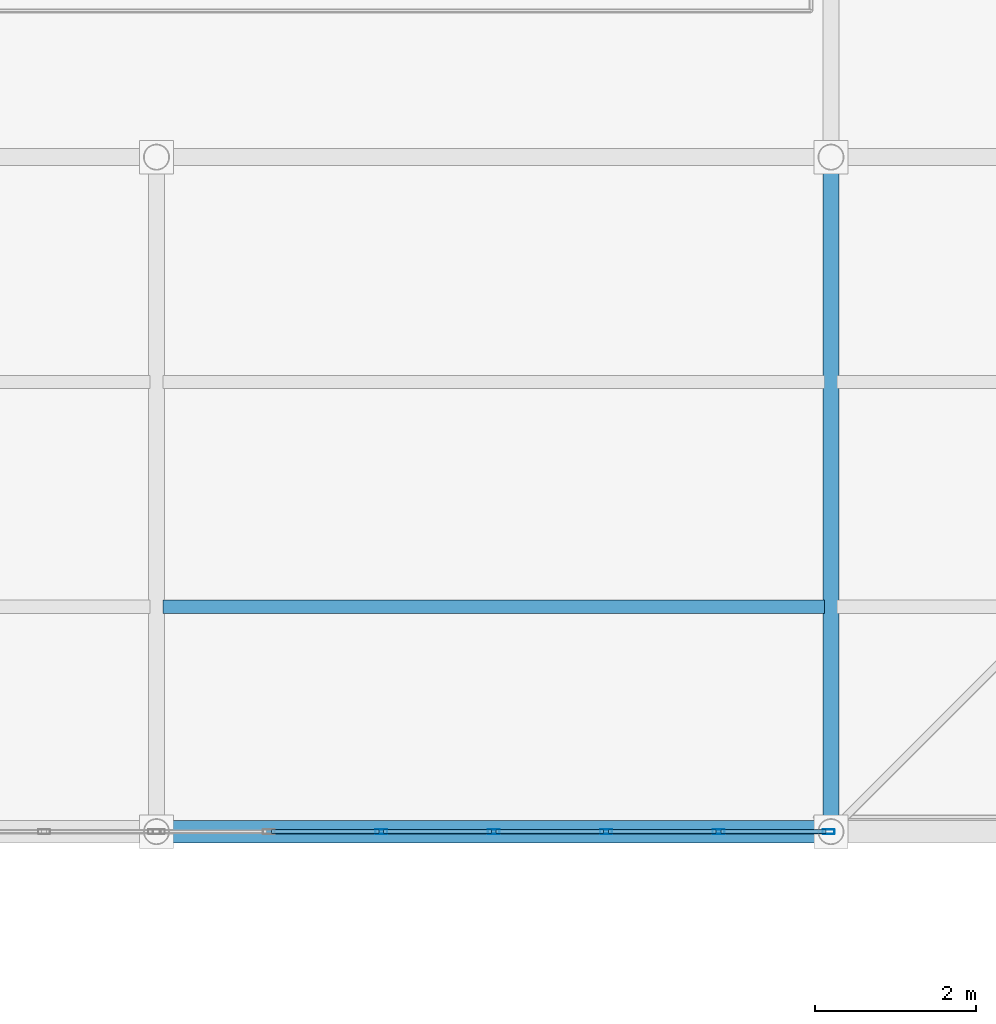
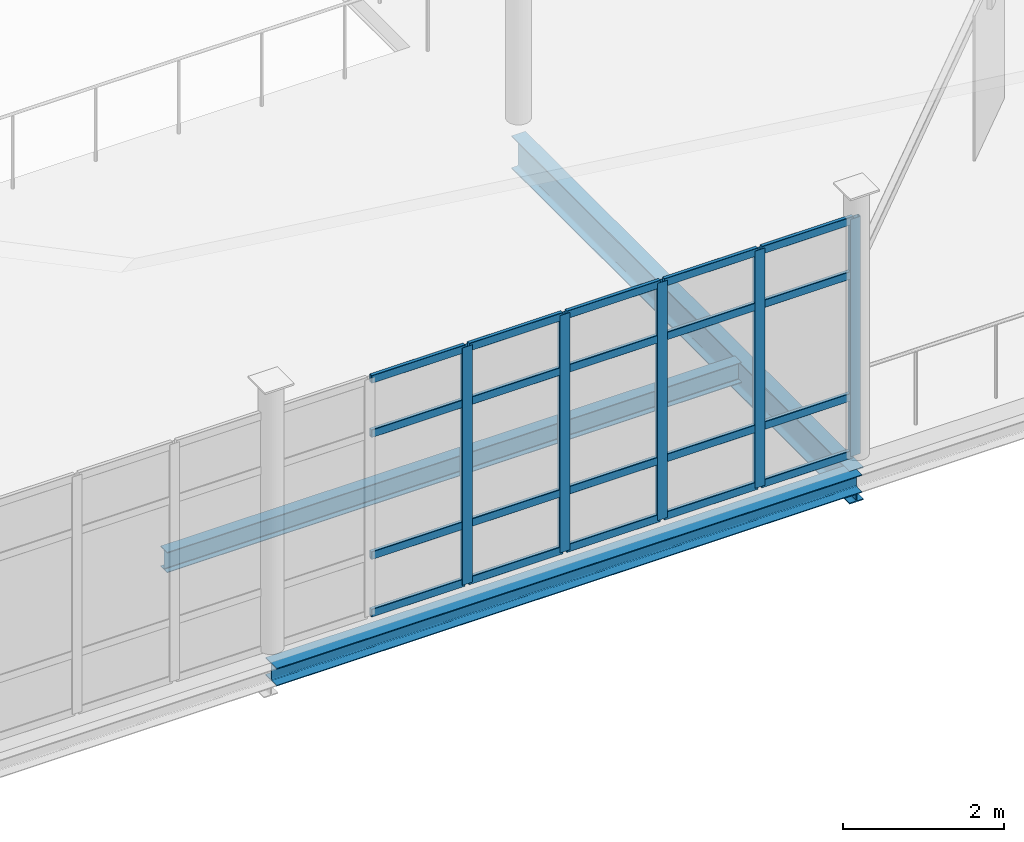
# One storey, part 37 of 65: 25 members, 3 beams, 1 element without a shape of its own.
"""IFC4 building model written with IfcOpenShell, lengths in metres."""

from ifc_helpers import new_model, si_unit, direction, frame, origin, origin_2d, place, context, subcontext, project, spatial, hollow_rectangle, i_section, extrude, material, layer, layer_set, material_profile, profile_set, type_object, element, aggregate, save


model = new_model("IFC4")

# Units and contexts
model_context = context("Model", 3, precision=1e-05, world=origin(), true_north=direction((0.0, 1.0)))
body_context = subcontext(model_context, "Body", "Model", "MODEL_VIEW")
ifc_project = project(units=[si_unit("LENGTHUNIT", "METRE"), si_unit("AREAUNIT", "SQUARE_METRE"), si_unit("VOLUMEUNIT", "CUBIC_METRE"), si_unit("PLANEANGLEUNIT", "RADIAN"), si_unit("MASSUNIT", "GRAM", prefix="KILO")], contexts=[model_context])

# Site, building, storey
site_placement = place(None, origin())
site = spatial("IfcSite", under=ifc_project, at=site_placement, CompositionType="ELEMENT")
building_placement = place(site_placement, origin())
building = spatial("IfcBuilding", under=site, at=building_placement, Name="Qalvenar Corner Mobility Hub", CompositionType="ELEMENT")
storey_placement = place(building_placement, frame((0.0, 0.0, 17.39990234375)))
storey = spatial("IfcBuildingStorey", under=building, at=storey_placement, Name="L04", CompositionType="ELEMENT", Elevation=17.39990234375)

# Beams
ifc_material_1 = material(Name="Steel S355", Category="steel")
ifc_material_profile_1 = material_profile(ifc_material_1, i_section(OverallWidth=0.199951171875, OverallDepth=0.5, WebThickness=0.01025390625, FlangeThickness=0.01611328125, FilletRadius=0.02099609375, at=origin_2d()), Name="IPE500")
ifc_profile_set_1 = profile_set([ifc_material_profile_1], Name="Steel S355")
beam_type_1 = type_object("IfcBeamType", Name="BM-IPE500", PredefinedType="BEAM", material=ifc_profile_set_1)
beam_1_placement = place(storey_placement, frame((159.60009765625, 67.199951171875, -0.489990234375), z_axis=(0.0, 1.0, 0.0), x_axis=(-1.0, 0.0, 0.0)))
element("IfcBeam", 1, at=beam_1_placement, inside=storey, type_object=beam_type_1, Name="Primary Steel Girder GY-2909", PredefinedType="BEAM", context=body_context, shape_type="SweptSolid", body=[
    extrude(i_section(OverallWidth=0.199951171875, OverallDepth=0.5, WebThickness=0.01025390625, FlangeThickness=0.01611328125, FilletRadius=0.02099609375, at=origin_2d()), origin(), (0.0, 0.0, 1.0), 8.400146484375),
])
ifc_material_profile_2 = material_profile(ifc_material_1, i_section(OverallWidth=0.1650390625, OverallDepth=0.31005859375, WebThickness=0.005859375, FlangeThickness=0.009765625, FilletRadius=0.011962890625, at=origin_2d()), Name="W310x38.7")
ifc_profile_set_2 = profile_set([ifc_material_profile_2], Name="Steel S355")
beam_type_2 = type_object("IfcBeamType", Name="BM-JST310", PredefinedType="JOIST", material=ifc_profile_set_2)
beam_2_placement = place(storey_placement, frame((151.278076171875, 70.0, -0.39501953125), z_axis=(1.0, 0.0, 0.0), x_axis=(0.0, 1.0, 0.0)))
element("IfcBeam", 2, at=beam_2_placement, inside=storey, type_object=beam_type_2, Name="Composite Floor Joist J-2929", PredefinedType="JOIST", context=body_context, shape_type="SweptSolid", body=[
    extrude(i_section(OverallWidth=0.1650390625, OverallDepth=0.31005859375, WebThickness=0.005859375, FlangeThickness=0.009765625, FilletRadius=0.011962890625, at=origin_2d()), origin(), (0.0, 0.0, 1.0), 8.243896484375),
])
ifc_material_profile_3 = material_profile(ifc_material_1, i_section(OverallWidth=0.280029296875, OverallDepth=0.27001953125, WebThickness=0.008056640625, FlangeThickness=0.012939453125, FilletRadius=0.02392578125, at=origin_2d()), Name="HEA280")
ifc_profile_set_3 = profile_set([ifc_material_profile_3], Name="Steel S355")
beam_type_3 = type_object("IfcBeamType", Name="BM-SPN280", PredefinedType="SPANDREL", material=ifc_profile_set_3)
beam_3_placement = place(storey_placement, frame((151.199951171875, 67.199951171875, -0.375), z_axis=(1.0, 0.0, 0.0), x_axis=(0.0, 1.0, 0.0)))
element("IfcBeam", 3, at=beam_3_placement, inside=storey, type_object=beam_type_3, Name="Primary Steel Girder GX-2889", PredefinedType="SPANDREL", context=body_context, shape_type="SweptSolid", body=[
    extrude(i_section(OverallWidth=0.280029296875, OverallDepth=0.27001953125, WebThickness=0.008056640625, FlangeThickness=0.012939453125, FilletRadius=0.02392578125, at=origin_2d()), origin(), (0.0, 0.0, 1.0), 8.400146484375),
])

# Curtain wall, members
ifc_material_2 = material(Name="Anodised Aluminium and Low-E Glazing", Category="aluminium")
ifc_layer = layer(ifc_material_2, 0.1201171875)
ifc_layer_set = layer_set([ifc_layer], Name="Anodised Aluminium and Low-E Glazing")
curtain_wall_type = type_object("IfcCurtainWallType", Name="CW-STR-42X40", PredefinedType="NOTDEFINED", material=ifc_layer_set)
curtain_wall_placement = place(storey_placement, origin())
curtain_wall = element("IfcCurtainWall", 4, at=curtain_wall_placement, inside=storey, type_object=curtain_wall_type, Name="Glazed Curtain Wall CW-V2-L04-S1", PredefinedType="NOTDEFINED")
ifc_material_3 = material(Name="Anodised Aluminium 6063-T6", Category="aluminium")
ifc_material_profile_4 = material_profile(ifc_material_3, hollow_rectangle(XDim=0.06005859375, YDim=0.14990234375, WallThickness=0.00390625, InnerFilletRadius=0.00390625, OuterFilletRadius=0.008056640625, at=origin_2d()), Name="RHS150x60x4")
ifc_profile_set_4 = profile_set([ifc_material_profile_4], Name="Anodised Aluminium 6063-T6")
member_type_1 = type_object("IfcMemberType", Name="CW-MUL150", PredefinedType="MULLION", material=ifc_profile_set_4)
member_1_placement = place(storey_placement, frame((154.0, 67.199951171875, 0.0), z_axis=(0.0, 0.0, 1.0), x_axis=(0.0, 1.0, 0.0)))
member_1 = element("IfcMember", 5, at=member_1_placement, type_object=member_type_1, Name="CW-10 mullion 3", PredefinedType="MULLION", context=body_context, shape_type="SweptSolid", body=[
    extrude(hollow_rectangle(XDim=0.06005859375, YDim=0.14990234375, WallThickness=0.00390625, InnerFilletRadius=0.00390625, OuterFilletRadius=0.008056640625, at=origin_2d()), origin(), (0.0, 0.0, 1.0), 3.60009765625),
])
member_2_placement = place(storey_placement, frame((155.39990234375, 67.199951171875, 0.0), z_axis=(0.0, 0.0, 1.0), x_axis=(0.0, 1.0, 0.0)))
member_2 = element("IfcMember", 6, at=member_2_placement, type_object=member_type_1, Name="CW-10 mullion 4", PredefinedType="MULLION", context=body_context, shape_type="SweptSolid", body=[
    extrude(hollow_rectangle(XDim=0.06005859375, YDim=0.14990234375, WallThickness=0.00390625, InnerFilletRadius=0.00390625, OuterFilletRadius=0.008056640625, at=origin_2d()), origin(), (0.0, 0.0, 1.0), 3.60009765625),
])
member_3_placement = place(storey_placement, frame((156.800048828125, 67.199951171875, 0.0), z_axis=(0.0, 0.0, 1.0), x_axis=(0.0, 1.0, 0.0)))
member_3 = element("IfcMember", 7, at=member_3_placement, type_object=member_type_1, Name="CW-10 mullion 5", PredefinedType="MULLION", context=body_context, shape_type="SweptSolid", body=[
    extrude(hollow_rectangle(XDim=0.06005859375, YDim=0.14990234375, WallThickness=0.00390625, InnerFilletRadius=0.00390625, OuterFilletRadius=0.008056640625, at=origin_2d()), origin(), (0.0, 0.0, 1.0), 3.60009765625),
])
member_4_placement = place(storey_placement, frame((158.199951171875, 67.199951171875, 0.0), z_axis=(0.0, 0.0, 1.0), x_axis=(0.0, 1.0, 0.0)))
member_4 = element("IfcMember", 8, at=member_4_placement, type_object=member_type_1, Name="CW-10 mullion 6", PredefinedType="MULLION", context=body_context, shape_type="SweptSolid", body=[
    extrude(hollow_rectangle(XDim=0.06005859375, YDim=0.14990234375, WallThickness=0.00390625, InnerFilletRadius=0.00390625, OuterFilletRadius=0.008056640625, at=origin_2d()), origin(), (0.0, 0.0, 1.0), 3.60009765625),
])
member_5_placement = place(storey_placement, frame((159.570068359375, 67.199951171875, 0.0), z_axis=(0.0, 0.0, 1.0), x_axis=(0.0, 1.0, 0.0)))
member_5 = element("IfcMember", 9, at=member_5_placement, type_object=member_type_1, Name="CW-10 mullion 7", PredefinedType="MULLION", context=body_context, shape_type="SweptSolid", body=[
    extrude(hollow_rectangle(XDim=0.06005859375, YDim=0.14990234375, WallThickness=0.00390625, InnerFilletRadius=0.00390625, OuterFilletRadius=0.008056640625, at=origin_2d()), origin(), (0.0, 0.0, 1.0), 3.60009765625),
])
ifc_material_profile_5 = material_profile(ifc_material_3, hollow_rectangle(XDim=0.054931640625, YDim=0.1201171875, WallThickness=0.00341796875, InnerFilletRadius=0.00341796875, OuterFilletRadius=0.007080078125, at=origin_2d()), Name="RHS120x55x3.5")
ifc_profile_set_5 = profile_set([ifc_material_profile_5], Name="Anodised Aluminium 6063-T6")
member_type_2 = type_object("IfcMemberType", Name="CW-TRN120", PredefinedType="USERDEFINED", material=ifc_profile_set_5)
member_6_placement = place(storey_placement, frame((152.6298828125, 67.199951171875, 0.027587890625), z_axis=(1.0, 0.0, 0.0), x_axis=(0.0, 1.0, 0.0)))
member_6 = element("IfcMember", 10, at=member_6_placement, type_object=member_type_2, Name="CW-10 transom 2.1", ObjectType="TRANSOM", PredefinedType="USERDEFINED", context=body_context, shape_type="SweptSolid", body=[
    extrude(hollow_rectangle(XDim=0.054931640625, YDim=0.1201171875, WallThickness=0.00341796875, InnerFilletRadius=0.00341796875, OuterFilletRadius=0.007080078125, at=origin_2d()), origin(), (0.0, 0.0, 1.0), 1.340087890625),
])
member_7_placement = place(storey_placement, frame((152.6298828125, 67.199951171875, 0.900146484375), z_axis=(1.0, 0.0, 0.0), x_axis=(0.0, 1.0, 0.0)))
member_7 = element("IfcMember", 11, at=member_7_placement, type_object=member_type_2, Name="CW-10 transom 2.2", ObjectType="TRANSOM", PredefinedType="USERDEFINED", context=body_context, shape_type="SweptSolid", body=[
    extrude(hollow_rectangle(XDim=0.054931640625, YDim=0.1201171875, WallThickness=0.00341796875, InnerFilletRadius=0.00341796875, OuterFilletRadius=0.007080078125, at=origin_2d()), origin(), (0.0, 0.0, 1.0), 1.340087890625),
])
member_8_placement = place(storey_placement, frame((152.6298828125, 67.199951171875, 2.75), z_axis=(1.0, 0.0, 0.0), x_axis=(0.0, 1.0, 0.0)))
member_8 = element("IfcMember", 12, at=member_8_placement, type_object=member_type_2, Name="CW-10 transom 2.3", ObjectType="TRANSOM", PredefinedType="USERDEFINED", context=body_context, shape_type="SweptSolid", body=[
    extrude(hollow_rectangle(XDim=0.054931640625, YDim=0.1201171875, WallThickness=0.00341796875, InnerFilletRadius=0.00341796875, OuterFilletRadius=0.007080078125, at=origin_2d()), origin(), (0.0, 0.0, 1.0), 1.340087890625),
])
member_9_placement = place(storey_placement, frame((152.6298828125, 67.199951171875, 3.572509765625), z_axis=(1.0, 0.0, 0.0), x_axis=(0.0, 1.0, 0.0)))
member_9 = element("IfcMember", 13, at=member_9_placement, type_object=member_type_2, Name="CW-10 transom 2.4", ObjectType="TRANSOM", PredefinedType="USERDEFINED", context=body_context, shape_type="SweptSolid", body=[
    extrude(hollow_rectangle(XDim=0.054931640625, YDim=0.1201171875, WallThickness=0.00341796875, InnerFilletRadius=0.00341796875, OuterFilletRadius=0.007080078125, at=origin_2d()), origin(), (0.0, 0.0, 1.0), 1.340087890625),
])
member_10_placement = place(storey_placement, frame((154.030029296875, 67.199951171875, 0.027587890625), z_axis=(1.0, 0.0, 0.0), x_axis=(0.0, 1.0, 0.0)))
member_10 = element("IfcMember", 14, at=member_10_placement, type_object=member_type_2, Name="CW-10 transom 3.1", ObjectType="TRANSOM", PredefinedType="USERDEFINED", context=body_context, shape_type="SweptSolid", body=[
    extrude(hollow_rectangle(XDim=0.054931640625, YDim=0.1201171875, WallThickness=0.00341796875, InnerFilletRadius=0.00341796875, OuterFilletRadius=0.007080078125, at=origin_2d()), origin(), (0.0, 0.0, 1.0), 1.340087890625),
])
member_11_placement = place(storey_placement, frame((154.030029296875, 67.199951171875, 0.900146484375), z_axis=(1.0, 0.0, 0.0), x_axis=(0.0, 1.0, 0.0)))
member_11 = element("IfcMember", 15, at=member_11_placement, type_object=member_type_2, Name="CW-10 transom 3.2", ObjectType="TRANSOM", PredefinedType="USERDEFINED", context=body_context, shape_type="SweptSolid", body=[
    extrude(hollow_rectangle(XDim=0.054931640625, YDim=0.1201171875, WallThickness=0.00341796875, InnerFilletRadius=0.00341796875, OuterFilletRadius=0.007080078125, at=origin_2d()), origin(), (0.0, 0.0, 1.0), 1.340087890625),
])
member_12_placement = place(storey_placement, frame((154.030029296875, 67.199951171875, 2.75), z_axis=(1.0, 0.0, 0.0), x_axis=(0.0, 1.0, 0.0)))
member_12 = element("IfcMember", 16, at=member_12_placement, type_object=member_type_2, Name="CW-10 transom 3.3", ObjectType="TRANSOM", PredefinedType="USERDEFINED", context=body_context, shape_type="SweptSolid", body=[
    extrude(hollow_rectangle(XDim=0.054931640625, YDim=0.1201171875, WallThickness=0.00341796875, InnerFilletRadius=0.00341796875, OuterFilletRadius=0.007080078125, at=origin_2d()), origin(), (0.0, 0.0, 1.0), 1.340087890625),
])
member_13_placement = place(storey_placement, frame((154.030029296875, 67.199951171875, 3.572509765625), z_axis=(1.0, 0.0, 0.0), x_axis=(0.0, 1.0, 0.0)))
member_13 = element("IfcMember", 17, at=member_13_placement, type_object=member_type_2, Name="CW-10 transom 3.4", ObjectType="TRANSOM", PredefinedType="USERDEFINED", context=body_context, shape_type="SweptSolid", body=[
    extrude(hollow_rectangle(XDim=0.054931640625, YDim=0.1201171875, WallThickness=0.00341796875, InnerFilletRadius=0.00341796875, OuterFilletRadius=0.007080078125, at=origin_2d()), origin(), (0.0, 0.0, 1.0), 1.340087890625),
])
member_14_placement = place(storey_placement, frame((155.429931640625, 67.199951171875, 0.027587890625), z_axis=(1.0, 0.0, 0.0), x_axis=(0.0, 1.0, 0.0)))
member_14 = element("IfcMember", 18, at=member_14_placement, type_object=member_type_2, Name="CW-10 transom 4.1", ObjectType="TRANSOM", PredefinedType="USERDEFINED", context=body_context, shape_type="SweptSolid", body=[
    extrude(hollow_rectangle(XDim=0.054931640625, YDim=0.1201171875, WallThickness=0.00341796875, InnerFilletRadius=0.00341796875, OuterFilletRadius=0.007080078125, at=origin_2d()), origin(), (0.0, 0.0, 1.0), 1.340087890625),
])
member_15_placement = place(storey_placement, frame((155.429931640625, 67.199951171875, 0.900146484375), z_axis=(1.0, 0.0, 0.0), x_axis=(0.0, 1.0, 0.0)))
member_15 = element("IfcMember", 19, at=member_15_placement, type_object=member_type_2, Name="CW-10 transom 4.2", ObjectType="TRANSOM", PredefinedType="USERDEFINED", context=body_context, shape_type="SweptSolid", body=[
    extrude(hollow_rectangle(XDim=0.054931640625, YDim=0.1201171875, WallThickness=0.00341796875, InnerFilletRadius=0.00341796875, OuterFilletRadius=0.007080078125, at=origin_2d()), origin(), (0.0, 0.0, 1.0), 1.340087890625),
])
member_16_placement = place(storey_placement, frame((155.429931640625, 67.199951171875, 2.75), z_axis=(1.0, 0.0, 0.0), x_axis=(0.0, 1.0, 0.0)))
member_16 = element("IfcMember", 20, at=member_16_placement, type_object=member_type_2, Name="CW-10 transom 4.3", ObjectType="TRANSOM", PredefinedType="USERDEFINED", context=body_context, shape_type="SweptSolid", body=[
    extrude(hollow_rectangle(XDim=0.054931640625, YDim=0.1201171875, WallThickness=0.00341796875, InnerFilletRadius=0.00341796875, OuterFilletRadius=0.007080078125, at=origin_2d()), origin(), (0.0, 0.0, 1.0), 1.340087890625),
])
member_17_placement = place(storey_placement, frame((155.429931640625, 67.199951171875, 3.572509765625), z_axis=(1.0, 0.0, 0.0), x_axis=(0.0, 1.0, 0.0)))
member_17 = element("IfcMember", 21, at=member_17_placement, type_object=member_type_2, Name="CW-10 transom 4.4", ObjectType="TRANSOM", PredefinedType="USERDEFINED", context=body_context, shape_type="SweptSolid", body=[
    extrude(hollow_rectangle(XDim=0.054931640625, YDim=0.1201171875, WallThickness=0.00341796875, InnerFilletRadius=0.00341796875, OuterFilletRadius=0.007080078125, at=origin_2d()), origin(), (0.0, 0.0, 1.0), 1.340087890625),
])
member_18_placement = place(storey_placement, frame((156.830078125, 67.199951171875, 0.027587890625), z_axis=(1.0, 0.0, 0.0), x_axis=(0.0, 1.0, 0.0)))
member_18 = element("IfcMember", 22, at=member_18_placement, type_object=member_type_2, Name="CW-10 transom 5.1", ObjectType="TRANSOM", PredefinedType="USERDEFINED", context=body_context, shape_type="SweptSolid", body=[
    extrude(hollow_rectangle(XDim=0.054931640625, YDim=0.1201171875, WallThickness=0.00341796875, InnerFilletRadius=0.00341796875, OuterFilletRadius=0.007080078125, at=origin_2d()), origin(), (0.0, 0.0, 1.0), 1.33984375),
])
member_19_placement = place(storey_placement, frame((156.830078125, 67.199951171875, 0.900146484375), z_axis=(1.0, 0.0, 0.0), x_axis=(0.0, 1.0, 0.0)))
member_19 = element("IfcMember", 23, at=member_19_placement, type_object=member_type_2, Name="CW-10 transom 5.2", ObjectType="TRANSOM", PredefinedType="USERDEFINED", context=body_context, shape_type="SweptSolid", body=[
    extrude(hollow_rectangle(XDim=0.054931640625, YDim=0.1201171875, WallThickness=0.00341796875, InnerFilletRadius=0.00341796875, OuterFilletRadius=0.007080078125, at=origin_2d()), origin(), (0.0, 0.0, 1.0), 1.33984375),
])
member_20_placement = place(storey_placement, frame((156.830078125, 67.199951171875, 2.75), z_axis=(1.0, 0.0, 0.0), x_axis=(0.0, 1.0, 0.0)))
member_20 = element("IfcMember", 24, at=member_20_placement, type_object=member_type_2, Name="CW-10 transom 5.3", ObjectType="TRANSOM", PredefinedType="USERDEFINED", context=body_context, shape_type="SweptSolid", body=[
    extrude(hollow_rectangle(XDim=0.054931640625, YDim=0.1201171875, WallThickness=0.00341796875, InnerFilletRadius=0.00341796875, OuterFilletRadius=0.007080078125, at=origin_2d()), origin(), (0.0, 0.0, 1.0), 1.33984375),
])
member_21_placement = place(storey_placement, frame((156.830078125, 67.199951171875, 3.572509765625), z_axis=(1.0, 0.0, 0.0), x_axis=(0.0, 1.0, 0.0)))
member_21 = element("IfcMember", 25, at=member_21_placement, type_object=member_type_2, Name="CW-10 transom 5.4", ObjectType="TRANSOM", PredefinedType="USERDEFINED", context=body_context, shape_type="SweptSolid", body=[
    extrude(hollow_rectangle(XDim=0.054931640625, YDim=0.1201171875, WallThickness=0.00341796875, InnerFilletRadius=0.00341796875, OuterFilletRadius=0.007080078125, at=origin_2d()), origin(), (0.0, 0.0, 1.0), 1.33984375),
])
member_22_placement = place(storey_placement, frame((158.22998046875, 67.199951171875, 0.027587890625), z_axis=(1.0, 0.0, 0.0), x_axis=(0.0, 1.0, 0.0)))
member_22 = element("IfcMember", 26, at=member_22_placement, type_object=member_type_2, Name="CW-10 transom 6.1", ObjectType="TRANSOM", PredefinedType="USERDEFINED", context=body_context, shape_type="SweptSolid", body=[
    extrude(hollow_rectangle(XDim=0.054931640625, YDim=0.1201171875, WallThickness=0.00341796875, InnerFilletRadius=0.00341796875, OuterFilletRadius=0.007080078125, at=origin_2d()), origin(), (0.0, 0.0, 1.0), 1.31005859375),
])
member_23_placement = place(storey_placement, frame((158.22998046875, 67.199951171875, 0.900146484375), z_axis=(1.0, 0.0, 0.0), x_axis=(0.0, 1.0, 0.0)))
member_23 = element("IfcMember", 27, at=member_23_placement, type_object=member_type_2, Name="CW-10 transom 6.2", ObjectType="TRANSOM", PredefinedType="USERDEFINED", context=body_context, shape_type="SweptSolid", body=[
    extrude(hollow_rectangle(XDim=0.054931640625, YDim=0.1201171875, WallThickness=0.00341796875, InnerFilletRadius=0.00341796875, OuterFilletRadius=0.007080078125, at=origin_2d()), origin(), (0.0, 0.0, 1.0), 1.31005859375),
])
member_24_placement = place(storey_placement, frame((158.22998046875, 67.199951171875, 2.75), z_axis=(1.0, 0.0, 0.0), x_axis=(0.0, 1.0, 0.0)))
member_24 = element("IfcMember", 28, at=member_24_placement, type_object=member_type_2, Name="CW-10 transom 6.3", ObjectType="TRANSOM", PredefinedType="USERDEFINED", context=body_context, shape_type="SweptSolid", body=[
    extrude(hollow_rectangle(XDim=0.054931640625, YDim=0.1201171875, WallThickness=0.00341796875, InnerFilletRadius=0.00341796875, OuterFilletRadius=0.007080078125, at=origin_2d()), origin(), (0.0, 0.0, 1.0), 1.31005859375),
])
member_25_placement = place(storey_placement, frame((158.22998046875, 67.199951171875, 3.572509765625), z_axis=(1.0, 0.0, 0.0), x_axis=(0.0, 1.0, 0.0)))
member_25 = element("IfcMember", 29, at=member_25_placement, type_object=member_type_2, Name="CW-10 transom 6.4", ObjectType="TRANSOM", PredefinedType="USERDEFINED", context=body_context, shape_type="SweptSolid", body=[
    extrude(hollow_rectangle(XDim=0.054931640625, YDim=0.1201171875, WallThickness=0.00341796875, InnerFilletRadius=0.00341796875, OuterFilletRadius=0.007080078125, at=origin_2d()), origin(), (0.0, 0.0, 1.0), 1.31005859375),
])
aggregate(curtain_wall, [member_1, member_2, member_3, member_4, member_5, member_6, member_7, member_8, member_9, member_10, member_11, member_12, member_13, member_14, member_15, member_16, member_17, member_18, member_19, member_20, member_21, member_22, member_23, member_24, member_25])

save(model, "model.ifc")
